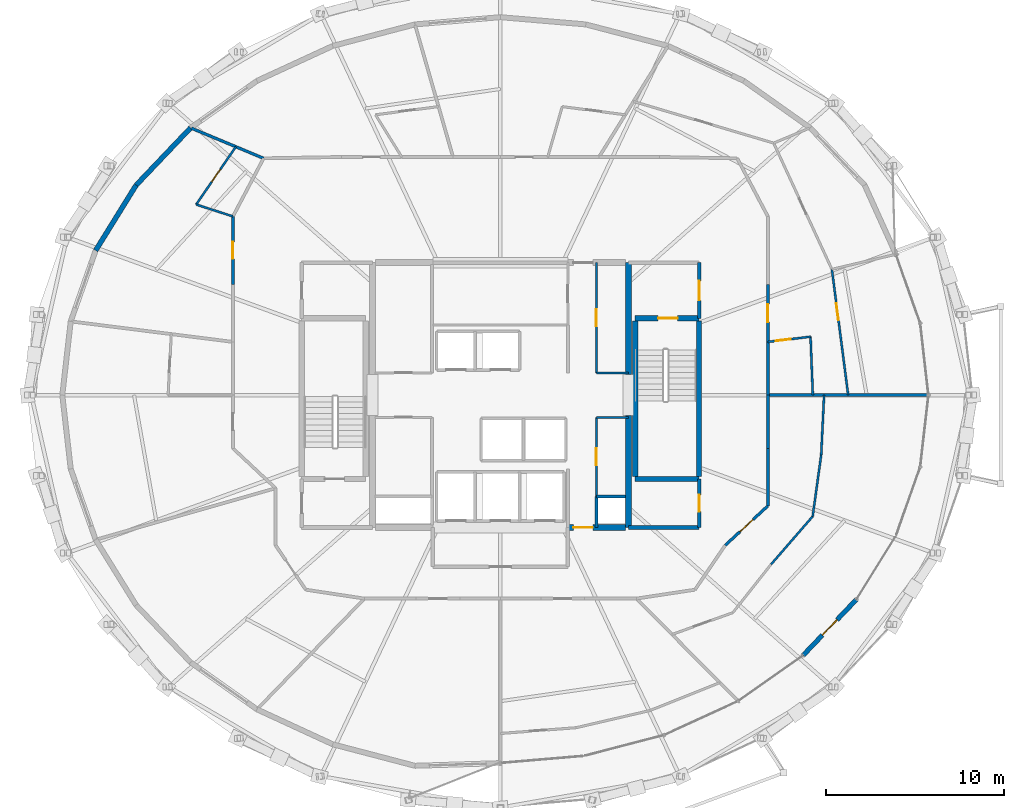
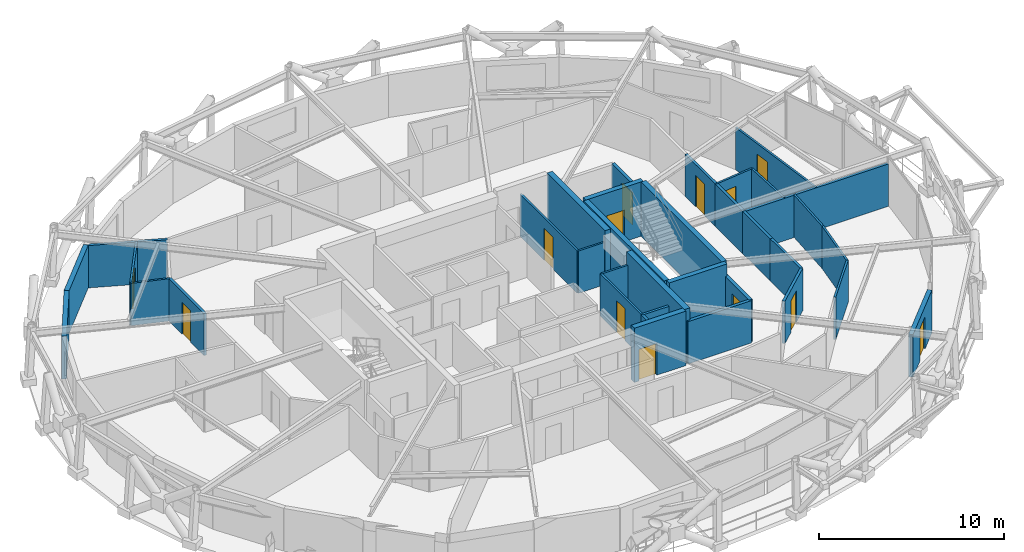
# One storey, part 14 of 17: 35 walls, 13 doors, 13 openings.
"""IFC4 building model written with IfcOpenShell, lengths in metres."""

import ifcopenshell
import ifcopenshell.guid

model = None  # the IFC model being written
_history = None  # IfcOwnerHistory: only IFC2X3 demands one
_inside = {}  # id of a spatial element -> (the spatial element, [elements in it])
_under = {}  # id of a project, library or spatial element -> (it, [spatial elements below it])
_declared = {}  # id of a project -> (the project, [libraries it declares])
_typed = {}  # id of a type object -> (the type object, [elements of that type])
_made_of = {}  # id of a material, layer set ... -> (it, [elements and type objects made of it])


def new_model(schema):
    """Start an empty IFC model of exactly this schema.

    Asked for "IFC4X3", IfcOpenShell would pick the latest addendum, in which some entities
    have other attributes; the version numbers below select the first issue.
    IFC2X3 requires an IfcOwnerHistory on every rooted entity: one is made here for all.
    """
    global model, _history
    if schema == "IFC4X3":
        model = ifcopenshell.file(schema_version=(4, 3, 0, 0))
    else:
        model = ifcopenshell.file(schema=schema)
    _inside.clear()
    _under.clear()
    _declared.clear()
    _typed.clear()
    _made_of.clear()
    _history = None
    if model.schema == "IFC2X3":
        org = make("IfcOrganization", Name="unknown")
        user = make(
            "IfcPersonAndOrganization",
            ThePerson=make("IfcPerson", FamilyName="unknown"),
            TheOrganization=org,
        )
        app = make(
            "IfcApplication",
            ApplicationDeveloper=org,
            Version="unknown",
            ApplicationFullName="unknown",
            ApplicationIdentifier="unknown",
        )
        _history = make(
            "IfcOwnerHistory",
            OwningUser=user,
            OwningApplication=app,
            ChangeAction="ADDED",
            CreationDate=0,
        )
    return model


def make(cls, **values):
    """One entity of the class cls with the attributes given. An attribute that is None is left unset."""
    return model.create_entity(
        cls, **{name: value for name, value in values.items() if value is not None}
    )


def rooted(cls, **values):
    """An entity with a GlobalId (a new one), such as an element, a storey or a relation."""
    return make(cls, GlobalId=ifcopenshell.guid.new(), OwnerHistory=_history, **values)


def si_unit(unit_type, name, prefix=None):
    """IfcSIUnit, for example si_unit("LENGTHUNIT", "METRE", prefix="MILLI")."""
    return make("IfcSIUnit", UnitType=unit_type, Prefix=prefix, Name=name)


def assignment(units):
    """IfcUnitAssignment: the units of a project."""
    return None if units is None else make("IfcUnitAssignment", Units=units)


def point(xyz):
    """IfcCartesianPoint."""
    return None if xyz is None else make("IfcCartesianPoint", Coordinates=xyz)


def direction(xyz):
    """IfcDirection."""
    return None if xyz is None else make("IfcDirection", DirectionRatios=xyz)


def frame(location, z_axis=None, x_axis=None):
    """IfcAxis2Placement3D, a coordinate frame: its origin and axes. An axis left out is left unset."""
    return make(
        "IfcAxis2Placement3D",
        Location=point(location),
        Axis=direction(z_axis),
        RefDirection=direction(x_axis),
    )


def frame_2d(location, x_axis=None):
    """IfcAxis2Placement2D, a coordinate frame in the plane: its origin and x axis."""
    return make(
        "IfcAxis2Placement2D", Location=point(location), RefDirection=direction(x_axis)
    )


def origin():
    """The frame at (0, 0, 0) with its axes left unset."""
    return frame((0.0, 0.0, 0.0))


def place(relative_to, where):
    """IfcLocalPlacement: puts the frame where relative to a parent placement (None: the world)."""
    return make(
        "IfcLocalPlacement", PlacementRelTo=relative_to, RelativePlacement=where
    )


def context(
    kind, dimensions, precision=None, world=None, true_north=None, identifier=None
):
    """IfcGeometricRepresentationContext, for example the 3D "Model" context."""
    return make(
        "IfcGeometricRepresentationContext",
        ContextIdentifier=identifier,
        ContextType=kind,
        CoordinateSpaceDimension=dimensions,
        Precision=precision,
        WorldCoordinateSystem=world,
        TrueNorth=true_north,
    )


def subcontext(parent, identifier, kind, view, scale=None):
    """IfcGeometricRepresentationSubContext, for example "Body" below "Model"."""
    return make(
        "IfcGeometricRepresentationSubContext",
        ContextIdentifier=identifier,
        ContextType=kind,
        ParentContext=parent,
        TargetScale=scale,
        TargetView=view,
    )


def project(units=None, contexts=None):
    """IfcProject with its units and contexts."""
    return rooted(
        "IfcProject",
        Name="project",
        RepresentationContexts=contexts,
        UnitsInContext=assignment(units),
    )


def spatial(cls, under=None, at=None, **own):
    """A site, building, storey or space (cls), placed at a placement, below another one or the project."""
    s = rooted(cls, ObjectPlacement=at, **own)
    if under is not None:
        _under.setdefault(under.id(), (under, []))[1].append(s)
    return s


def profile(cls, at=None, kind="AREA", **sizes):
    """A parametric profile (cls). Its sizes go by their IFC names, for example OverallWidth=200.0."""
    return make(cls, ProfileType=kind, Position=at, **sizes)


def rectangle(**sizes):
    """IfcRectangleProfileDef."""
    return profile("IfcRectangleProfileDef", **sizes)


def extrude(swept, where, along, depth):
    """IfcExtrudedAreaSolid: the profile swept, set in the frame where, extruded along a direction by depth."""
    return make(
        "IfcExtrudedAreaSolid",
        SweptArea=swept,
        Position=where,
        ExtrudedDirection=direction(along),
        Depth=depth,
    )


def shape(context_of_items, identifier, shape_type, items):
    """IfcShapeRepresentation: the items that make up one representation, for example the "Body"."""
    return make(
        "IfcShapeRepresentation",
        ContextOfItems=context_of_items,
        RepresentationIdentifier=identifier,
        RepresentationType=shape_type,
        Items=items,
    )


def material(Name=None, Category=None):
    """IfcMaterial."""
    return make("IfcMaterial", Name=Name, Category=Category)


def layer(
    of_material, thickness, ventilated=None, Name=None, Category=None, Priority=None
):
    """IfcMaterialLayer: one layer of a wall or slab, of a material (None: an air gap)."""
    return make(
        "IfcMaterialLayer",
        Material=of_material,
        LayerThickness=thickness,
        IsVentilated=ventilated,
        Name=Name,
        Category=Category,
        Priority=Priority,
    )


def layer_set(layers, Name=None):
    """IfcMaterialLayerSet."""
    return make("IfcMaterialLayerSet", MaterialLayers=layers, LayerSetName=Name)


def made_of(thing, what):
    """Note that an element or type object is made of a material, layer set ...; save() writes the relation."""
    if what is not None:
        _made_of.setdefault(what.id(), (what, []))[1].append(thing)
    return thing


def type_object(cls, material=None, **own):
    """A type object (cls), such as IfcWallType, which elements share."""
    return made_of(rooted(cls, **own), material)


def element(
    cls,
    number,
    at=None,
    inside=None,
    cuts=None,
    type_object=None,
    material=None,
    context=None,
    identifier="Body",
    shape_type=None,
    held_by="IfcProductDefinitionShape",
    body=None,
    shapes=None,
    **own,
):
    """One element of the class cls, such as IfcWall. Its Tag is "e" and its number.

    at: its placement. inside: the storey or other place that contains it. cuts: it is an
    opening in that element (IfcRelVoidsElement). A single representation is given by context,
    identifier, shape_type and body (its items); several are given by shapes. held_by: the class
    of the entity that holds the representations. save() writes the other relations.
    """
    e = rooted(cls, Tag="e%d" % number, ObjectPlacement=at, **own)
    if body is not None:
        shapes = [shape(context, identifier, shape_type, body)]
    if shapes is not None:
        e.Representation = make(held_by, Representations=shapes)
    if inside is not None:
        _inside.setdefault(inside.id(), (inside, []))[1].append(e)
    if cuts is not None:
        rooted(
            "IfcRelVoidsElement", RelatingBuildingElement=cuts, RelatedOpeningElement=e
        )
    if type_object is not None:
        _typed.setdefault(type_object.id(), (type_object, []))[1].append(e)
    return made_of(e, material)


def fill(opening, filler):
    """IfcRelFillsElement: the door or window that sits in an opening."""
    return rooted(
        "IfcRelFillsElement",
        RelatingOpeningElement=opening,
        RelatedBuildingElement=filler,
    )


def aggregate(whole, parts):
    """IfcRelAggregates: a whole, such as a stair, and the parts it consists of."""
    return rooted("IfcRelAggregates", RelatingObject=whole, RelatedObjects=parts)


def save(model, path):
    """Write the relations noted so far, then the file.

    IfcRelAggregates (storeys below a building ...), IfcRelContainedInSpatialStructure (elements
    in a storey), IfcRelDefinesByType, IfcRelAssociatesMaterial and IfcRelDeclares: one each for
    every whole, place, type object, material and project.
    """
    for whole, parts in _under.values():
        aggregate(whole, parts)
    for where, things in _inside.values():
        rooted(
            "IfcRelContainedInSpatialStructure",
            RelatedElements=things,
            RelatingStructure=where,
        )
    for kind, things in _typed.values():
        rooted("IfcRelDefinesByType", RelatedObjects=things, RelatingType=kind)
    for what, things in _made_of.values():
        rooted("IfcRelAssociatesMaterial", RelatedObjects=things, RelatingMaterial=what)
    for by, libraries in _declared.values():
        rooted("IfcRelDeclares", RelatingContext=by, RelatedDefinitions=libraries)
    model.write(path)


model = new_model("IFC4")

# Units and contexts
model_context = context("Model", 3, precision=1e-05, world=origin(), true_north=direction((0.0, 1.0)))
body_context = subcontext(model_context, "Body", "Model", "MODEL_VIEW")
ifc_project = project(units=[si_unit("LENGTHUNIT", "METRE"), si_unit("AREAUNIT", "SQUARE_METRE"), si_unit("VOLUMEUNIT", "CUBIC_METRE"), si_unit("PLANEANGLEUNIT", "RADIAN"), si_unit("MASSUNIT", "GRAM", prefix="KILO")], contexts=[model_context])

# Site, building, storey
site_placement = place(None, origin())
site = spatial("IfcSite", under=ifc_project, at=site_placement, CompositionType="ELEMENT")
building_placement = place(site_placement, origin())
building = spatial("IfcBuilding", under=site, at=building_placement, Name="Veldorina Hangang Commons", CompositionType="ELEMENT")
storey_placement = place(building_placement, frame((0.0, 0.0, 196.39990234375)))
storey = spatial("IfcBuildingStorey", under=building, at=storey_placement, Name="L51", CompositionType="ELEMENT", Elevation=196.39990234375)

# Walls
ifc_material_1 = material(Name="Concrete C60/75", Category="concrete")
ifc_layer_1 = layer(ifc_material_1, 0.340087890625)
ifc_layer_set_1 = layer_set([ifc_layer_1], Name="Concrete C60/75")
wall_type_1 = type_object("IfcWallType", Name="CW-RC340-C60", PredefinedType="SHEAR", material=ifc_layer_set_1)
for number, where, z_axis, x_axis, name in (
    (1, (39.199951171875, 16.550048828125, 0.0), (0.0, 0.0, 1.0), (0.0, 1.0, 0.0), "L51 E south core shear wall"),
    (2, (39.199951171875, 25.14990234375, 0.0), (0.0, 0.0, 1.0), (0.0, 1.0, 0.0), "L51 E north core shear wall"),
):
    element("IfcWall", number, at=place(storey_placement, frame(where, z_axis=z_axis, x_axis=x_axis)), inside=storey, type_object=wall_type_1, Name=name, PredefinedType="SHEAR", context=body_context, shape_type="SweptSolid", body=[
        extrude(rectangle(XDim=6.300048828125, YDim=0.340087890625, at=frame_2d((3.14990234375, 0.0))), origin(), (0.0, 0.0, 1.0), 3.60009765625),
    ])

# Wall, opening, door
wall_1_placement = place(storey_placement, frame((35.800048828125, 16.550048828125, 0.0), z_axis=(0.0, 0.0, 1.0), x_axis=(1.0, 0.0, 0.0)))
wall_1 = element("IfcWall", 3, at=wall_1_placement, inside=storey, type_object=wall_type_1, Name="L51 south-east core shear wall", PredefinedType="SHEAR", context=body_context, shape_type="SweptSolid", body=[
    extrude(rectangle(XDim=3.22998046875, YDim=0.340087890625, at=frame_2d((1.614990234375, 0.0))), origin(), (0.0, 0.0, 1.0), 3.60009765625),
])
opening_1_placement = place(wall_1_placement, frame((0.300048828125, 0.0, 0.0)))
opening_1 = element("IfcOpeningElement", 4, at=opening_1_placement, cuts=wall_1, Name="Opening D-08", PredefinedType="OPENING", context=body_context, shape_type="SweptSolid", body=[
    extrude(rectangle(XDim=1.10009765625, YDim=2.10009765625, at=frame_2d((0.550048828125, 1.050048828125))), frame((0.0, 0.18017578125, 0.0), z_axis=(0.0, -1.0, 0.0), x_axis=(1.0, 0.0, 0.0)), (0.0, 0.0, 1.0), 0.360107421875),
])
ifc_material_2 = material(Name="Steel Fire-Rated Smoke Seal", Category="steel")
door_type_1 = type_object("IfcDoorType", Name="DR-FIRE-1100", OperationType="SINGLE_SWING_RIGHT", PredefinedType="DOOR", material=ifc_material_2)
door_1_placement = place(opening_1_placement, origin())
door_1 = element("IfcDoor", 5, at=door_1_placement, inside=storey, type_object=door_type_1, Name="L51 central lift lobby south corridor door", OperationType="SINGLE_SWING_RIGHT", OverallHeight=2.10009765625, OverallWidth=1.10009765625, PredefinedType="DOOR", context=body_context, shape_type="SweptSolid", body=[
    extrude(rectangle(XDim=1.10009765625, YDim=2.10009765625, at=frame_2d((0.550048828125, 1.050048828125))), frame((0.0, 0.02490234375, 0.0), z_axis=(0.0, -1.0, 0.0), x_axis=(1.0, 0.0, 0.0)), (0.0, 0.0, 1.0), 0.050048828125),
])
fill(opening_1, door_1)

ifc_material_3 = material(Name="Stone Roman Travertine", Category="masonry")
ifc_layer_2 = layer(ifc_material_3, 0.260009765625)
ifc_layer_set_2 = layer_set([ifc_layer_2], Name="Stone Roman Travertine")
wall_type_2 = type_object("IfcWallType", Name="EW-LOGGIA-260", PredefinedType="STANDARD", material=ifc_layer_set_2)
wall_2_placement = place(storey_placement, frame((49.035400390625, 9.357666015625, 0.0), z_axis=(0.0, 0.0, 1.0), x_axis=(0.690600199346, 0.723236727955, 0.0)))
wall_2 = element("IfcWall", 6, at=wall_2_placement, inside=storey, type_object=wall_type_2, Name="L51 sky-garden loggia portal wall 28", PredefinedType="STANDARD", context=body_context, shape_type="SweptSolid", body=[
    extrude(rectangle(XDim=4.338623046875, YDim=0.260009765625, at=frame_2d((2.16943359375, 0.0))), origin(), (0.0, 0.0, 1.0), 2.820068359375),
])
opening_2_placement = place(wall_2_placement, frame((1.5693359375, 0.0, 0.0)))
opening_2 = element("IfcOpeningElement", 7, at=opening_2_placement, cuts=wall_2, Name="Opening BD-1200", PredefinedType="OPENING", context=body_context, shape_type="SweptSolid", body=[
    extrude(rectangle(XDim=1.199951171875, YDim=2.14990234375, at=frame_2d((0.60009765625, 1.074951171875))), frame((0.0, 0.14013671875, 0.0), z_axis=(0.0, -1.0, 0.0), x_axis=(1.0, 0.0, 0.0)), (0.0, 0.0, 1.0), 0.280029296875),
])
ifc_material_4 = material(Name="Glass Thermal Aluminium Frame", Category="aluminium")
door_type_2 = type_object("IfcDoorType", Name="DR-EXT-LOG1200", OperationType="SINGLE_SWING_LEFT", PredefinedType="DOOR", material=ifc_material_4)
door_2_placement = place(opening_2_placement, origin())
door_2 = element("IfcDoor", 8, at=door_2_placement, inside=storey, type_object=door_type_2, Name="L51 loggia glazed exterior door 28", OperationType="SINGLE_SWING_LEFT", OverallHeight=2.14990234375, OverallWidth=1.199951171875, PredefinedType="DOOR", context=body_context, shape_type="SweptSolid", body=[
    extrude(rectangle(XDim=1.199951171875, YDim=2.14990234375, at=frame_2d((0.60009765625, 1.074951171875))), frame((0.0, 0.02490234375, 0.0), z_axis=(0.0, -1.0, 0.0), x_axis=(1.0, 0.0, 0.0)), (0.0, 0.0, 1.0), 0.050048828125),
])
fill(opening_2, door_2)

# Walls
ifc_layer_3 = layer(ifc_material_3, 0.280029296875)
ifc_layer_set_3 = layer_set([ifc_layer_3], Name="Stone Roman Travertine")
wall_type_3 = type_object("IfcWallType", Name="EW-TRAV-280", PredefinedType="STANDARD", material=ifc_layer_set_3)
wall_3_placement = place(storey_placement, frame((14.568603515625, 39.038330078125, 0.0), z_axis=(0.0, 0.0, 1.0), x_axis=(-0.689241173538, -0.724531990115, 0.0)))
element("IfcWall", 9, at=wall_3_placement, inside=storey, type_object=wall_type_3, Name="L51 travertine facade wall 12", PredefinedType="STANDARD", context=body_context, shape_type="SweptSolid", body=[
    extrude(rectangle(XDim=4.4482421875, YDim=0.280029296875, at=frame_2d((2.22412109375, 0.0))), origin(), (0.0, 0.0, 1.0), 2.820068359375),
])
wall_4_placement = place(storey_placement, frame((11.502685546875, 35.8154296875, 0.0), z_axis=(0.0, 0.0, 1.0), x_axis=(-0.526686858754, -0.850059381935, 0.0)))
element("IfcWall", 10, at=wall_4_placement, inside=storey, type_object=wall_type_3, Name="L51 travertine facade wall 13", PredefinedType="STANDARD", context=body_context, shape_type="SweptSolid", body=[
    extrude(rectangle(XDim=4.3251953125, YDim=0.280029296875, at=frame_2d((2.16259765625, 0.0))), origin(), (0.0, 0.0, 1.0), 2.820068359375),
])
ifc_material_5 = material(Name="Concrete C50/60", Category="concrete")
ifc_layer_4 = layer(ifc_material_5, 0.300048828125)
ifc_layer_set_4 = layer_set([ifc_layer_4], Name="Concrete C50/60")
wall_type_4 = type_object("IfcWallType", Name="SW-STAIR-300", PredefinedType="SHEAR", material=ifc_layer_set_4)
for number, where, z_axis, x_axis, name in (
    (11, (43.179931640625, 19.429931640625, 0.0), (0.0, 0.0, 1.0), (0.0, 1.0, 0.0), "L51 ST2 outer stair shear wall"),
    (12, (39.580078125, 19.429931640625, 0.0), (0.0, 0.0, 1.0), (0.0, 1.0, 0.0), "L51 ST2 inner stair shear wall"),
):
    element("IfcWall", number, at=place(storey_placement, frame(where, z_axis=z_axis, x_axis=x_axis)), inside=storey, type_object=wall_type_4, Name=name, PredefinedType="SHEAR", context=body_context, shape_type="SweptSolid", body=[
        extrude(rectangle(XDim=8.739990234375, YDim=0.300048828125, at=frame_2d((4.3701171875, 0.0))), origin(), (0.0, 0.0, 1.0), 3.60009765625),
    ])
wall_5_placement = place(storey_placement, frame((39.580078125, 19.280029296875, 0.0), z_axis=(0.0, 0.0, 1.0), x_axis=(1.0, 0.0, 0.0)))
element("IfcWall", 13, at=wall_5_placement, inside=storey, type_object=wall_type_4, Name="L51 ST2 south stair shear wall", PredefinedType="SHEAR", context=body_context, shape_type="SweptSolid", body=[
    extrude(rectangle(XDim=3.599853515625, YDim=0.300048828125, at=frame_2d((1.7998046875, 0.0))), origin(), (0.0, 0.0, 1.0), 3.60009765625),
])

# Wall, opening, door
wall_6_placement = place(storey_placement, frame((39.580078125, 28.320068359375, 0.0), z_axis=(0.0, 0.0, 1.0), x_axis=(1.0, 0.0, 0.0)))
wall_6 = element("IfcWall", 14, at=wall_6_placement, inside=storey, type_object=wall_type_4, Name="L51 ST2 north stair shear wall", PredefinedType="SHEAR", context=body_context, shape_type="SweptSolid", body=[
    extrude(rectangle(XDim=3.599853515625, YDim=0.300048828125, at=frame_2d((1.7998046875, 0.0))), origin(), (0.0, 0.0, 1.0), 3.60009765625),
])
opening_3_placement = place(wall_6_placement, frame((1.300048828125, 0.0, 0.0)))
opening_3 = element("IfcOpeningElement", 15, at=opening_3_placement, cuts=wall_6, Name="Opening D-08", PredefinedType="OPENING", context=body_context, shape_type="SweptSolid", body=[
    extrude(rectangle(XDim=1.10009765625, YDim=2.10009765625, at=frame_2d((0.550048828125, 1.050048828125))), frame((0.0, 0.16015625, 0.0), z_axis=(0.0, -1.0, 0.0), x_axis=(1.0, 0.0, 0.0)), (0.0, 0.0, 1.0), 0.320068359375),
])
door_3_placement = place(opening_3_placement, origin())
door_3 = element("IfcDoor", 16, at=door_3_placement, inside=storey, type_object=door_type_1, Name="L51 Special Escape Stair ST-2 door", OperationType="SINGLE_SWING_RIGHT", OverallHeight=2.10009765625, OverallWidth=1.10009765625, PredefinedType="DOOR", context=body_context, shape_type="SweptSolid", body=[
    extrude(rectangle(XDim=1.10009765625, YDim=2.10009765625, at=frame_2d((0.550048828125, 1.050048828125))), frame((0.0, 0.02490234375, 0.0), z_axis=(0.0, -1.0, 0.0), x_axis=(1.0, 0.0, 0.0)), (0.0, 0.0, 1.0), 0.050048828125),
])
fill(opening_3, door_3)

# Walls
ifc_material_6 = material(Name="Gypsum Fire-Rated Twin Stud Wall", Category="gypsum")
ifc_layer_5 = layer(ifc_material_6, 0.159912109375)
ifc_layer_set_5 = layer_set([ifc_layer_5], Name="Gypsum Fire-Rated Twin Stud Wall")
wall_type_5 = type_object("IfcWallType", Name="WL-FIRE-160", PredefinedType="SOLIDWALL", material=ifc_layer_set_5)
wall_7_placement = place(storey_placement, frame((37.39990234375, 16.550048828125, 0.0), z_axis=(0.0, 0.0, 1.0), x_axis=(0.0, 1.0, 0.0)))
element("IfcWall", 17, at=wall_7_placement, inside=storey, type_object=wall_type_5, Name="L51 Lift passage SE stub 010", PredefinedType="SOLIDWALL", context=body_context, shape_type="SweptSolid", body=[
    extrude(rectangle(XDim=1.75, YDim=0.159912109375, at=frame_2d((0.875, 0.0))), origin(), (0.0, 0.0, 1.0), 2.800048828125),
])
wall_8_placement = place(storey_placement, frame((37.39990234375, 18.300048828125, 0.0), z_axis=(0.0, 0.0, 1.0), x_axis=(1.0, 0.0, 0.0)))
element("IfcWall", 18, at=wall_8_placement, inside=storey, type_object=wall_type_5, Name="L51 Plumbing riser wall 036", PredefinedType="SOLIDWALL", context=body_context, shape_type="SweptSolid", body=[
    extrude(rectangle(XDim=1.650146484375, YDim=0.159912109375, at=frame_2d((0.8251953125, 0.0))), origin(), (0.0, 0.0, 1.0), 2.800048828125),
])
wall_9_placement = place(storey_placement, frame((47.050048828125, 24.0, 0.0), z_axis=(0.0, 0.0, 1.0), x_axis=(0.0, 1.0, 0.0)))
element("IfcWall", 19, at=wall_9_placement, inside=storey, type_object=wall_type_5, Name="L51 U-corridor outer wall 00 044", PredefinedType="SOLIDWALL", context=body_context, shape_type="SweptSolid", body=[
    extrude(rectangle(XDim=2.99365234375, YDim=0.159912109375, at=frame_2d((1.496826171875, 0.0))), origin(), (0.0, 0.0, 1.0), 2.800048828125),
])

# Wall, opening, door
wall_10_placement = place(storey_placement, frame((47.050048828125, 26.99365234375, 0.0), z_axis=(0.0, 0.0, 1.0), x_axis=(0.0, 1.0, 0.0)))
wall_10 = element("IfcWall", 20, at=wall_10_placement, inside=storey, type_object=wall_type_5, Name="L51 U-corridor outer wall 01 045", PredefinedType="SOLIDWALL", context=body_context, shape_type="SweptSolid", body=[
    extrude(rectangle(XDim=3.240234375, YDim=0.159912109375, at=frame_2d((1.6201171875, 0.0))), origin(), (0.0, 0.0, 1.0), 2.800048828125),
])
opening_4_placement = place(wall_10_placement, frame((1.1201171875, 0.0, 0.0)))
opening_4 = element("IfcOpeningElement", 21, at=opening_4_placement, cuts=wall_10, Name="Opening D-06", PredefinedType="OPENING", context=body_context, shape_type="SweptSolid", body=[
    extrude(rectangle(XDim=1.0, YDim=2.10009765625, at=frame_2d((0.5, 1.050048828125))), frame((0.0, 0.08984375, 0.0), z_axis=(0.0, -1.0, 0.0), x_axis=(1.0, 0.0, 0.0)), (0.0, 0.0, 1.0), 0.179931640625),
])
ifc_material_7 = material(Name="Timber Fire-Rated Entrance Core", Category="wood")
door_type_3 = type_object("IfcDoorType", Name="DR-UNIT-1000", OperationType="SINGLE_SWING_LEFT", PredefinedType="DOOR", material=ifc_material_7)
door_4_placement = place(opening_4_placement, origin())
door_4 = element("IfcDoor", 22, at=door_4_placement, inside=storey, type_object=door_type_3, Name="L51 Cluster 2 entrance door 019", OperationType="SINGLE_SWING_LEFT", OverallHeight=2.10009765625, OverallWidth=1.0, PredefinedType="DOOR", context=body_context, shape_type="SweptSolid", body=[
    extrude(rectangle(XDim=1.0, YDim=2.10009765625, at=frame_2d((0.5, 1.050048828125))), frame((0.0, 0.02490234375, 0.0), z_axis=(0.0, -1.0, 0.0), x_axis=(1.0, 0.0, 0.0)), (0.0, 0.0, 1.0), 0.050048828125),
])
fill(opening_4, door_4)

wall_11_placement = place(storey_placement, frame((16.949951171875, 34.05615234375, 0.0), z_axis=(0.0, 0.0, 1.0), x_axis=(0.0, -1.0, 0.0)))
wall_11 = element("IfcWall", 23, at=wall_11_placement, inside=storey, type_object=wall_type_5, Name="L51 U-corridor outer wall 13 057", PredefinedType="SOLIDWALL", context=body_context, shape_type="SweptSolid", body=[
    extrude(rectangle(XDim=3.822265625, YDim=0.159912109375, at=frame_2d((1.9111328125, 0.0))), origin(), (0.0, 0.0, 1.0), 2.800048828125),
])
opening_5_placement = place(wall_11_placement, frame((1.43603515625, 0.0, 0.0)))
opening_5 = element("IfcOpeningElement", 24, at=opening_5_placement, cuts=wall_11, Name="Opening D-03", PredefinedType="OPENING", context=body_context, shape_type="SweptSolid", body=[
    extrude(rectangle(XDim=0.949951171875, YDim=2.10009765625, at=frame_2d((0.47509765625, 1.050048828125))), frame((0.0, 0.08984375, 0.0), z_axis=(0.0, -1.0, 0.0), x_axis=(1.0, 0.0, 0.0)), (0.0, 0.0, 1.0), 0.179931640625),
])
door_type_4 = type_object("IfcDoorType", Name="DR-UNIT-950", OperationType="SINGLE_SWING_RIGHT", PredefinedType="DOOR", material=ifc_material_7)
door_5_placement = place(opening_5_placement, origin())
door_5 = element("IfcDoor", 25, at=door_5_placement, inside=storey, type_object=door_type_4, Name="L51 Studio 5 entrance door 028", OperationType="SINGLE_SWING_RIGHT", OverallHeight=2.10009765625, OverallWidth=0.949951171875, PredefinedType="DOOR", context=body_context, shape_type="SweptSolid", body=[
    extrude(rectangle(XDim=0.949951171875, YDim=2.10009765625, at=frame_2d((0.47509765625, 1.050048828125))), frame((0.0, 0.02490234375, 0.0), z_axis=(0.0, -1.0, 0.0), x_axis=(1.0, 0.0, 0.0)), (0.0, 0.0, 1.0), 0.050048828125),
])
fill(opening_5, door_5)

wall_12_placement = place(storey_placement, frame((44.64990234375, 15.547607421875, 0.0), z_axis=(0.0, 0.0, 1.0), x_axis=(0.734347936521, 0.678773237633, 0.0)))
wall_12 = element("IfcWall", 26, at=wall_12_placement, inside=storey, type_object=wall_type_5, Name="L51 U-corridor outer wall 29 073", PredefinedType="SOLIDWALL", context=body_context, shape_type="SweptSolid", body=[
    extrude(rectangle(XDim=3.268310546875, YDim=0.159912109375, at=frame_2d((1.63427734375, 0.0))), origin(), (0.0, 0.0, 1.0), 2.800048828125),
])
opening_6_placement = place(wall_12_placement, frame((1.13427734375, 0.0, 0.0)))
opening_6 = element("IfcOpeningElement", 27, at=opening_6_placement, cuts=wall_12, Name="Opening D-05", PredefinedType="OPENING", context=body_context, shape_type="SweptSolid", body=[
    extrude(rectangle(XDim=1.0, YDim=2.10009765625, at=frame_2d((0.5, 1.050048828125))), frame((0.0, 0.08984375, 0.0), z_axis=(0.0, -1.0, 0.0), x_axis=(1.0, 0.0, 0.0)), (0.0, 0.0, 1.0), 0.179931640625),
])
ifc_material_8 = material(Name="Timber Solid Core Acoustic", Category="wood")
door_type_5 = type_object("IfcDoorType", Name="DR-INT-1000", OperationType="SINGLE_SWING_RIGHT", PredefinedType="DOOR", material=ifc_material_8)
door_6_placement = place(opening_6_placement, origin())
door_6 = element("IfcDoor", 28, at=door_6_placement, inside=storey, type_object=door_type_5, Name="L51 Commons alcove door 016", OperationType="SINGLE_SWING_RIGHT", OverallHeight=2.10009765625, OverallWidth=1.0, PredefinedType="DOOR", context=body_context, shape_type="SweptSolid", body=[
    extrude(rectangle(XDim=1.0, YDim=2.10009765625, at=frame_2d((0.5, 1.050048828125))), frame((0.0, 0.02490234375, 0.0), z_axis=(0.0, -1.0, 0.0), x_axis=(1.0, 0.0, 0.0)), (0.0, 0.0, 1.0), 0.050048828125),
])
fill(opening_6, door_6)

# Walls
wall_13_placement = place(storey_placement, frame((47.050048828125, 17.76611328125, 0.0), z_axis=(0.0, 0.0, 1.0), x_axis=(0.0, 1.0, 0.0)))
element("IfcWall", 29, at=wall_13_placement, inside=storey, type_object=wall_type_5, Name="L51 U-corridor outer wall 30 074", PredefinedType="SOLIDWALL", context=body_context, shape_type="SweptSolid", body=[
    extrude(rectangle(XDim=3.240234375, YDim=0.159912109375, at=frame_2d((1.6201171875, 0.0))), origin(), (0.0, 0.0, 1.0), 2.800048828125),
])
wall_14_placement = place(storey_placement, frame((47.050048828125, 21.00634765625, 0.0), z_axis=(0.0, 0.0, 1.0), x_axis=(0.0, 1.0, 0.0)))
element("IfcWall", 30, at=wall_14_placement, inside=storey, type_object=wall_type_5, Name="L51 U-corridor outer wall 31 075", PredefinedType="SOLIDWALL", context=body_context, shape_type="SweptSolid", body=[
    extrude(rectangle(XDim=2.99365234375, YDim=0.159912109375, at=frame_2d((1.496826171875, 0.0))), origin(), (0.0, 0.0, 1.0), 2.800048828125),
])
wall_15_placement = place(storey_placement, frame((47.050048828125, 24.0, 0.0), z_axis=(0.0, 0.0, 1.0), x_axis=(1.0, 0.0, 0.0)))
element("IfcWall", 31, at=wall_15_placement, inside=storey, type_object=wall_type_5, Name="L51 Unit party wall 00 082", PredefinedType="SOLIDWALL", context=body_context, shape_type="SweptSolid", body=[
    extrude(rectangle(XDim=8.991943359375, YDim=0.159912109375, at=frame_2d((4.49609375, 0.0))), origin(), (0.0, 0.0, 1.0), 2.800048828125),
])
wall_16_placement = place(storey_placement, frame((18.675048828125, 37.324951171875, 0.0), z_axis=(0.0, 0.0, 1.0), x_axis=(-0.922899521621, 0.385040871845, 0.0)))
element("IfcWall", 32, at=wall_16_placement, inside=storey, type_object=wall_type_5, Name="L51 Unit party wall 12 096", PredefinedType="SOLIDWALL", context=body_context, shape_type="SweptSolid", body=[
    extrude(rectangle(XDim=4.399658203125, YDim=0.159912109375, at=frame_2d((2.19970703125, 0.0))), origin(), (0.0, 0.0, 1.0), 2.800048828125),
])

# Wall, opening, door
ifc_material_9 = material(Name="Concrete Blockwork Fire Wall C30/37", Category="masonry")
ifc_layer_6 = layer(ifc_material_9, 0.199951171875)
ifc_layer_set_6 = layer_set([ifc_layer_6], Name="Concrete Blockwork Fire Wall C30/37")
wall_type_6 = type_object("IfcWallType", Name="WL-FIRE-200", PredefinedType="SOLIDWALL", material=ifc_layer_set_6)
wall_17_placement = place(storey_placement, frame((43.179931640625, 28.320068359375, 0.0), z_axis=(0.0, 0.0, 1.0), x_axis=(0.0, 1.0, 0.0)))
wall_17 = element("IfcWall", 33, at=wall_17_placement, inside=storey, type_object=wall_type_6, Name="L51 East vestibule outer wall 003", PredefinedType="SOLIDWALL", context=body_context, shape_type="SweptSolid", body=[
    extrude(rectangle(XDim=3.1298828125, YDim=0.199951171875, at=frame_2d((1.56494140625, 0.0))), origin(), (0.0, 0.0, 1.0), 2.800048828125),
])
opening_7_placement = place(wall_17_placement, frame((1.014892578125, 0.0, 0.0)))
opening_7 = element("IfcOpeningElement", 34, at=opening_7_placement, cuts=wall_17, Name="Opening D-08", PredefinedType="OPENING", context=body_context, shape_type="SweptSolid", body=[
    extrude(rectangle(XDim=1.10009765625, YDim=2.10009765625, at=frame_2d((0.550048828125, 1.050048828125))), frame((0.0, 0.10986328125, 0.0), z_axis=(0.0, -1.0, 0.0), x_axis=(1.0, 0.0, 0.0)), (0.0, 0.0, 1.0), 0.219970703125),
])
door_7_placement = place(opening_7_placement, origin())
door_7 = element("IfcDoor", 35, at=door_7_placement, inside=storey, type_object=door_type_1, Name="L51 East vestibule east door 002", OperationType="SINGLE_SWING_RIGHT", OverallHeight=2.10009765625, OverallWidth=1.10009765625, PredefinedType="DOOR", context=body_context, shape_type="SweptSolid", body=[
    extrude(rectangle(XDim=1.10009765625, YDim=2.10009765625, at=frame_2d((0.550048828125, 1.050048828125))), frame((0.0, 0.02490234375, 0.0), z_axis=(0.0, -1.0, 0.0), x_axis=(1.0, 0.0, 0.0)), (0.0, 0.0, 1.0), 0.050048828125),
])
fill(opening_7, door_7)

wall_18_placement = place(storey_placement, frame((43.179931640625, 16.550048828125, 0.0), z_axis=(0.0, 0.0, 1.0), x_axis=(0.0, 1.0, 0.0)))
wall_18 = element("IfcWall", 36, at=wall_18_placement, inside=storey, type_object=wall_type_6, Name="L51 SE core room outer wall 007", PredefinedType="SOLIDWALL", context=body_context, shape_type="SweptSolid", body=[
    extrude(rectangle(XDim=2.72998046875, YDim=0.199951171875, at=frame_2d((1.364990234375, 0.0))), origin(), (0.0, 0.0, 1.0), 2.800048828125),
])
opening_8_placement = place(wall_18_placement, frame((0.889892578125, 0.0, 0.0)))
opening_8 = element("IfcOpeningElement", 37, at=opening_8_placement, cuts=wall_18, Name="Opening D-02", PredefinedType="OPENING", context=body_context, shape_type="SweptSolid", body=[
    extrude(rectangle(XDim=0.949951171875, YDim=2.10009765625, at=frame_2d((0.47509765625, 1.050048828125))), frame((0.0, 0.10986328125, 0.0), z_axis=(0.0, -1.0, 0.0), x_axis=(1.0, 0.0, 0.0)), (0.0, 0.0, 1.0), 0.219970703125),
])
door_type_6 = type_object("IfcDoorType", Name="DR-INT-950", OperationType="SINGLE_SWING_LEFT", PredefinedType="DOOR", material=ifc_material_8)
door_8_placement = place(opening_8_placement, origin())
door_8 = element("IfcDoor", 38, at=door_8_placement, inside=storey, type_object=door_type_6, Name="L51 SE core WC door 004", OperationType="SINGLE_SWING_RIGHT", OverallHeight=2.10009765625, OverallWidth=0.949951171875, PredefinedType="DOOR", context=body_context, shape_type="SweptSolid", body=[
    extrude(rectangle(XDim=0.949951171875, YDim=2.10009765625, at=frame_2d((0.47509765625, 1.050048828125))), frame((0.0, 0.02490234375, 0.0), z_axis=(0.0, -1.0, 0.0), x_axis=(1.0, 0.0, 0.0)), (0.0, 0.0, 1.0), 0.050048828125),
])
fill(opening_8, door_8)

# Wall
wall_19_placement = place(storey_placement, frame((39.199951171875, 16.550048828125, 0.0), z_axis=(0.0, 0.0, 1.0), x_axis=(1.0, 0.0, 0.0)))
element("IfcWall", 39, at=wall_19_placement, inside=storey, type_object=wall_type_6, Name="L51 SE core room south wall 008", PredefinedType="SOLIDWALL", context=body_context, shape_type="SweptSolid", body=[
    extrude(rectangle(XDim=3.97998046875, YDim=0.199951171875, at=frame_2d((1.989990234375, 0.0))), origin(), (0.0, 0.0, 1.0), 2.800048828125),
])

# Wall, opening, door
ifc_material_10 = material(Name="Gypsum Acoustic Stud Partition", Category="gypsum")
ifc_layer_7 = layer(ifc_material_10, 0.1201171875)
ifc_layer_set_7 = layer_set([ifc_layer_7], Name="Gypsum Acoustic Stud Partition")
wall_type_7 = type_object("IfcWallType", Name="WL-PART-120", PredefinedType="PARTITIONING", material=ifc_layer_set_7)
wall_20_placement = place(storey_placement, frame((37.39990234375, 25.25, 0.0), z_axis=(0.0, 0.0, 1.0), x_axis=(0.0, 1.0, 0.0)))
wall_20 = element("IfcWall", 40, at=wall_20_placement, inside=storey, type_object=wall_type_7, Name="L51 NE strip lobby wall 040", PredefinedType="PARTITIONING", context=body_context, shape_type="SweptSolid", body=[
    extrude(rectangle(XDim=6.199951171875, YDim=0.1201171875, at=frame_2d((3.10009765625, 0.0))), origin(), (0.0, 0.0, 1.0), 2.800048828125),
])
opening_9_placement = place(wall_20_placement, frame((2.625, 0.0, 0.0)))
opening_9 = element("IfcOpeningElement", 41, at=opening_9_placement, cuts=wall_20, Name="Opening D-02", PredefinedType="OPENING", context=body_context, shape_type="SweptSolid", body=[
    extrude(rectangle(XDim=0.949951171875, YDim=2.10009765625, at=frame_2d((0.47509765625, 1.050048828125))), frame((0.0, 0.070068359375, 0.0), z_axis=(0.0, -1.0, 0.0), x_axis=(1.0, 0.0, 0.0)), (0.0, 0.0, 1.0), 0.14013671875),
])
door_9_placement = place(opening_9_placement, origin())
door_9 = element("IfcDoor", 42, at=door_9_placement, inside=storey, type_object=door_type_6, Name="L51 Comms room door 014", OperationType="SINGLE_SWING_RIGHT", OverallHeight=2.10009765625, OverallWidth=0.949951171875, PredefinedType="DOOR", context=body_context, shape_type="SweptSolid", body=[
    extrude(rectangle(XDim=0.949951171875, YDim=2.10009765625, at=frame_2d((0.47509765625, 1.050048828125))), frame((0.0, 0.02490234375, 0.0), z_axis=(0.0, -1.0, 0.0), x_axis=(1.0, 0.0, 0.0)), (0.0, 0.0, 1.0), 0.050048828125),
])
fill(opening_9, door_9)

# Wall
wall_21_placement = place(storey_placement, frame((37.39990234375, 25.25, 0.0), z_axis=(0.0, 0.0, 1.0), x_axis=(1.0, 0.0, 0.0)))
element("IfcWall", 43, at=wall_21_placement, inside=storey, type_object=wall_type_7, Name="L51 NE strip south return wall 041", PredefinedType="PARTITIONING", context=body_context, shape_type="SweptSolid", body=[
    extrude(rectangle(XDim=1.800048828125, YDim=0.1201171875, at=frame_2d((0.89990234375, 0.0))), origin(), (0.0, 0.0, 1.0), 2.800048828125),
])

# Wall, opening, door
wall_22_placement = place(storey_placement, frame((37.39990234375, 18.300048828125, 0.0), z_axis=(0.0, 0.0, 1.0), x_axis=(0.0, 1.0, 0.0)))
wall_22 = element("IfcWall", 44, at=wall_22_placement, inside=storey, type_object=wall_type_7, Name="L51 SE strip lobby wall 042", PredefinedType="PARTITIONING", context=body_context, shape_type="SweptSolid", body=[
    extrude(rectangle(XDim=4.449951171875, YDim=0.1201171875, at=frame_2d((2.22509765625, 0.0))), origin(), (0.0, 0.0, 1.0), 2.800048828125),
])
opening_10_placement = place(wall_22_placement, frame((1.75, 0.0, 0.0)))
opening_10 = element("IfcOpeningElement", 45, at=opening_10_placement, cuts=wall_22, Name="Opening D-02", PredefinedType="OPENING", context=body_context, shape_type="SweptSolid", body=[
    extrude(rectangle(XDim=0.949951171875, YDim=2.10009765625, at=frame_2d((0.47509765625, 1.050048828125))), frame((0.0, 0.070068359375, 0.0), z_axis=(0.0, -1.0, 0.0), x_axis=(1.0, 0.0, 0.0)), (0.0, 0.0, 1.0), 0.14013671875),
])
door_10_placement = place(opening_10_placement, origin())
door_10 = element("IfcDoor", 46, at=door_10_placement, inside=storey, type_object=door_type_6, Name="L51 BMS closet door 015", OperationType="SINGLE_SWING_LEFT", OverallHeight=2.10009765625, OverallWidth=0.949951171875, PredefinedType="DOOR", context=body_context, shape_type="SweptSolid", body=[
    extrude(rectangle(XDim=0.949951171875, YDim=2.10009765625, at=frame_2d((0.47509765625, 1.050048828125))), frame((0.0, 0.02490234375, 0.0), z_axis=(0.0, -1.0, 0.0), x_axis=(1.0, 0.0, 0.0)), (0.0, 0.0, 1.0), 0.050048828125),
])
fill(opening_10, door_10)

# Walls
wall_23_placement = place(storey_placement, frame((37.39990234375, 22.75, 0.0), z_axis=(0.0, 0.0, 1.0), x_axis=(1.0, 0.0, 0.0)))
element("IfcWall", 47, at=wall_23_placement, inside=storey, type_object=wall_type_7, Name="L51 SE strip north return wall 043", PredefinedType="PARTITIONING", context=body_context, shape_type="SweptSolid", body=[
    extrude(rectangle(XDim=1.800048828125, YDim=0.1201171875, at=frame_2d((0.89990234375, 0.0))), origin(), (0.0, 0.0, 1.0), 2.800048828125),
])
wall_24_placement = place(storey_placement, frame((47.233642578125, 14.479248046875, 0.0), z_axis=(0.0, 0.0, 1.0), x_axis=(0.655438258218, 0.755248760121, 0.0)))
element("IfcWall", 48, at=wall_24_placement, inside=storey, type_object=wall_type_7, Name="L51 Lounge alcove split 2 079", PredefinedType="PARTITIONING", context=body_context, shape_type="SweptSolid", body=[
    extrude(rectangle(XDim=3.56884765625, YDim=0.1201171875, at=frame_2d((1.784423828125, 0.0))), origin(), (0.0, 0.0, 1.0), 2.800048828125),
])
wall_25_placement = place(storey_placement, frame((49.57275390625, 17.174560546875, 0.0), z_axis=(0.0, 0.0, 1.0), x_axis=(0.137121457215, 0.990554241812, 0.0)))
element("IfcWall", 49, at=wall_25_placement, inside=storey, type_object=wall_type_7, Name="L51 Lounge alcove split 3 080", PredefinedType="PARTITIONING", context=body_context, shape_type="SweptSolid", body=[
    extrude(rectangle(XDim=3.49853515625, YDim=0.1201171875, at=frame_2d((1.749267578125, 0.0))), origin(), (0.0, 0.0, 1.0), 2.800048828125),
])
wall_26_placement = place(storey_placement, frame((50.052490234375, 20.64013671875, 0.0), z_axis=(0.0, 0.0, 1.0), x_axis=(0.048192738589, 0.998838054915, 0.0)))
element("IfcWall", 50, at=wall_26_placement, inside=storey, type_object=wall_type_7, Name="L51 Lounge alcove split 4 081", PredefinedType="PARTITIONING", context=body_context, shape_type="SweptSolid", body=[
    extrude(rectangle(XDim=3.36376953125, YDim=0.1201171875, at=frame_2d((1.681884765625, 0.0))), origin(), (0.0, 0.0, 1.0), 2.800048828125),
])
wall_27_placement = place(storey_placement, frame((49.581787109375, 24.0, 0.0), z_axis=(0.0, 0.0, 1.0), x_axis=(-0.03941371276, 0.999222977741, 0.0)))
element("IfcWall", 51, at=wall_27_placement, inside=storey, type_object=wall_type_7, Name="L51 Cluster 2 bath front wall 083", PredefinedType="PARTITIONING", context=body_context, shape_type="SweptSolid", body=[
    extrude(rectangle(XDim=3.2890625, YDim=0.1201171875, at=frame_2d((1.64453125, 0.0))), origin(), (0.0, 0.0, 1.0), 2.800048828125),
])

# Wall, opening, door
wall_28_placement = place(storey_placement, frame((47.050048828125, 26.99365234375, 0.0), z_axis=(0.0, 0.0, 1.0), x_axis=(0.992644399036, 0.12106649851, 0.0)))
wall_28 = element("IfcWall", 52, at=wall_28_placement, inside=storey, type_object=wall_type_7, Name="L51 Cluster 2 bath side wall 084", PredefinedType="PARTITIONING", context=body_context, shape_type="SweptSolid", body=[
    extrude(rectangle(XDim=2.419921875, YDim=0.1201171875, at=frame_2d((1.2099609375, 0.0))), origin(), (0.0, 0.0, 1.0), 2.800048828125),
])
opening_11_placement = place(wall_28_placement, frame((0.43994140625, 0.0, 0.0)))
opening_11 = element("IfcOpeningElement", 53, at=opening_11_placement, cuts=wall_28, Name="Opening D-01", PredefinedType="OPENING", context=body_context, shape_type="SweptSolid", body=[
    extrude(rectangle(XDim=0.860107421875, YDim=2.10009765625, at=frame_2d((0.43017578125, 1.050048828125))), frame((0.0, 0.070068359375, 0.0), z_axis=(0.0, -1.0, 0.0), x_axis=(1.0, 0.0, 0.0)), (0.0, 0.0, 1.0), 0.14013671875),
])
ifc_material_11 = material(Name="Timber Moisture-Resistant Core", Category="wood")
door_type_7 = type_object("IfcDoorType", Name="DR-WET-860", OperationType="SINGLE_SWING_LEFT", PredefinedType="DOOR", material=ifc_material_11)
door_11_placement = place(opening_11_placement, origin())
door_11 = element("IfcDoor", 54, at=door_11_placement, inside=storey, type_object=door_type_7, Name="L51 Cluster 2 shared bathroom door 018", OperationType="SINGLE_SWING_RIGHT", OverallHeight=2.10009765625, OverallWidth=0.860107421875, PredefinedType="DOOR", context=body_context, shape_type="SweptSolid", body=[
    extrude(rectangle(XDim=0.860107421875, YDim=2.10009765625, at=frame_2d((0.43017578125, 1.050048828125))), frame((0.0, 0.02490234375, 0.0), z_axis=(0.0, -1.0, 0.0), x_axis=(1.0, 0.0, 0.0)), (0.0, 0.0, 1.0), 0.050048828125),
])
fill(opening_11, door_11)

wall_29_placement = place(storey_placement, frame((51.57080078125, 24.0, 0.0), z_axis=(0.0, 0.0, 1.0), x_axis=(-0.128428201462, 0.991718809476, 0.0)))
wall_29 = element("IfcWall", 55, at=wall_29_placement, inside=storey, type_object=wall_type_7, Name="L51 Cluster 2 bed 1 front wall 085", PredefinedType="PARTITIONING", context=body_context, shape_type="SweptSolid", body=[
    extrude(rectangle(XDim=7.13818359375, YDim=0.1201171875, at=frame_2d((3.569091796875, 0.0))), origin(), (0.0, 0.0, 1.0), 2.800048828125),
])
opening_12_placement = place(wall_29_placement, frame((4.261962890625, 0.0, 0.0)))
opening_12 = element("IfcOpeningElement", 56, at=opening_12_placement, cuts=wall_29, Name="Opening D-02", PredefinedType="OPENING", context=body_context, shape_type="SweptSolid", body=[
    extrude(rectangle(XDim=0.949951171875, YDim=2.10009765625, at=frame_2d((0.47509765625, 1.050048828125))), frame((0.0, 0.070068359375, 0.0), z_axis=(0.0, -1.0, 0.0), x_axis=(1.0, 0.0, 0.0)), (0.0, 0.0, 1.0), 0.14013671875),
])
door_12_placement = place(opening_12_placement, origin())
door_12 = element("IfcDoor", 57, at=door_12_placement, inside=storey, type_object=door_type_6, Name="L51 Cluster 2 bed 1 door 020", OperationType="SINGLE_SWING_RIGHT", OverallHeight=2.10009765625, OverallWidth=0.949951171875, PredefinedType="DOOR", context=body_context, shape_type="SweptSolid", body=[
    extrude(rectangle(XDim=0.949951171875, YDim=2.10009765625, at=frame_2d((0.47509765625, 1.050048828125))), frame((0.0, 0.02490234375, 0.0), z_axis=(0.0, -1.0, 0.0), x_axis=(1.0, 0.0, 0.0)), (0.0, 0.0, 1.0), 0.050048828125),
])
fill(opening_12, door_12)

wall_30_placement = place(storey_placement, frame((17.114501953125, 37.97607421875, 0.0), z_axis=(0.0, 0.0, 1.0), x_axis=(-0.566397503063, -0.824132191171, 0.0)))
wall_30 = element("IfcWall", 58, at=wall_30_placement, inside=storey, type_object=wall_type_7, Name="L51 Studio 5 bath front wall 097", PredefinedType="PARTITIONING", context=body_context, shape_type="SweptSolid", body=[
    extrude(rectangle(XDim=3.9453125, YDim=0.1201171875, at=frame_2d((1.97265625, 0.0))), origin(), (0.0, 0.0, 1.0), 2.800048828125),
])
opening_13_placement = place(wall_30_placement, frame((1.54248046875, 0.0, 0.0)))
opening_13 = element("IfcOpeningElement", 59, at=opening_13_placement, cuts=wall_30, Name="Opening D-01", PredefinedType="OPENING", context=body_context, shape_type="SweptSolid", body=[
    extrude(rectangle(XDim=0.860107421875, YDim=2.10009765625, at=frame_2d((0.43017578125, 1.050048828125))), frame((0.0, 0.070068359375, 0.0), z_axis=(0.0, -1.0, 0.0), x_axis=(1.0, 0.0, 0.0)), (0.0, 0.0, 1.0), 0.14013671875),
])
door_13_placement = place(opening_13_placement, origin())
door_13 = element("IfcDoor", 60, at=door_13_placement, inside=storey, type_object=door_type_7, Name="L51 Studio 5 bathroom door 027", OperationType="SINGLE_SWING_LEFT", OverallHeight=2.10009765625, OverallWidth=0.860107421875, PredefinedType="DOOR", context=body_context, shape_type="SweptSolid", body=[
    extrude(rectangle(XDim=0.860107421875, YDim=2.10009765625, at=frame_2d((0.43017578125, 1.050048828125))), frame((0.0, 0.02490234375, 0.0), z_axis=(0.0, -1.0, 0.0), x_axis=(1.0, 0.0, 0.0)), (0.0, 0.0, 1.0), 0.050048828125),
])
fill(opening_13, door_13)

# Wall
wall_31_placement = place(storey_placement, frame((16.949951171875, 34.05615234375, 0.0), z_axis=(0.0, 0.0, 1.0), x_axis=(-0.951615488058, 0.307291332268, 0.0)))
element("IfcWall", 61, at=wall_31_placement, inside=storey, type_object=wall_type_7, Name="L51 Studio 5 bath side wall 098", PredefinedType="PARTITIONING", context=body_context, shape_type="SweptSolid", body=[
    extrude(rectangle(XDim=2.17529296875, YDim=0.1201171875, at=frame_2d((1.087646484375, 0.0))), origin(), (0.0, 0.0, 1.0), 2.800048828125),
])

save(model, "model.ifc")
